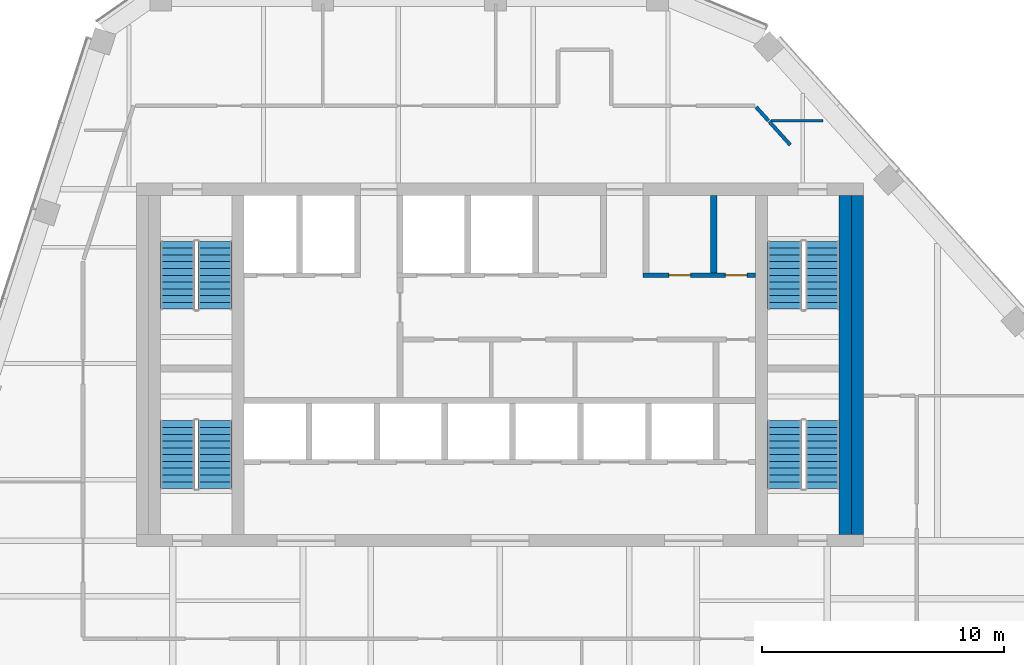
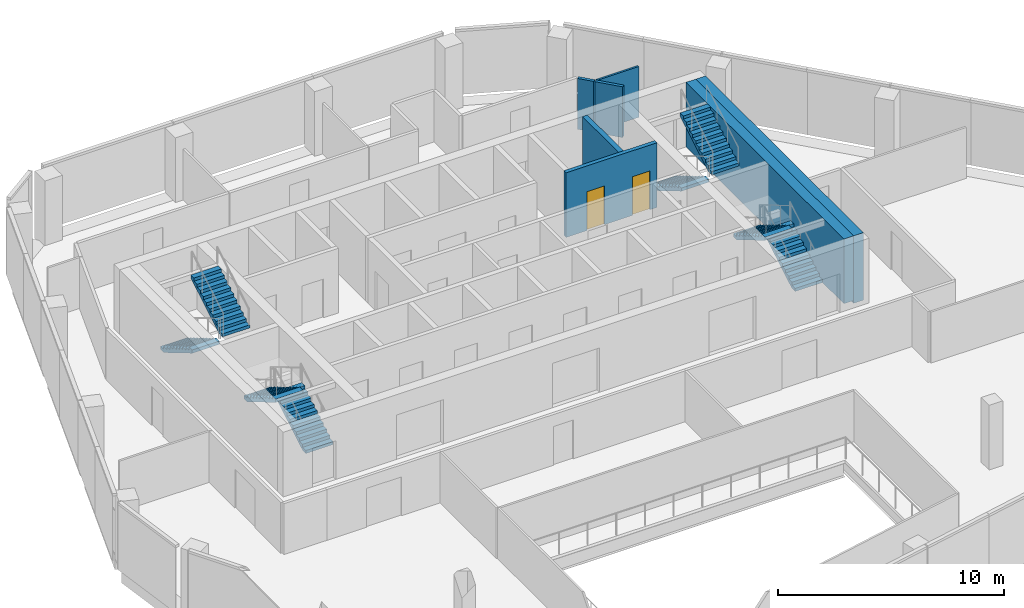
# One storey, part 10 of 15: 8 stair flights, 7 walls, 2 doors, 2 openings, 4 elements without a shape of their own.
"""IFC4 building model written with IfcOpenShell, lengths in metres."""

from ifc_helpers import new_model, si_unit, direction, frame, frame_2d, origin, place, context, subcontext, project, spatial, polyline, rectangle, outline, extrude, material, layer, layer_set, type_object, element, fill, aggregate, save


model = new_model("IFC4")

# Units and contexts
model_context = context("Model", 3, precision=1e-05, world=origin(), true_north=direction((0.0, 1.0)))
body_context = subcontext(model_context, "Body", "Model", "MODEL_VIEW")
ifc_project = project(units=[si_unit("LENGTHUNIT", "METRE"), si_unit("AREAUNIT", "SQUARE_METRE"), si_unit("VOLUMEUNIT", "CUBIC_METRE"), si_unit("PLANEANGLEUNIT", "RADIAN"), si_unit("MASSUNIT", "GRAM", prefix="KILO")], contexts=[model_context])

# Site, building, storey
site_placement = place(None, origin())
site = spatial("IfcSite", under=ifc_project, at=site_placement, CompositionType="ELEMENT")
building_placement = place(site_placement, origin())
building = spatial("IfcBuilding", under=site, at=building_placement, Name="Isthmus Gate Tower", CompositionType="ELEMENT")
storey_placement = place(building_placement, frame((0.0, 0.0, 275.550048828125)))
storey = spatial("IfcBuildingStorey", under=building, at=storey_placement, Name="L70", CompositionType="ELEMENT", Elevation=275.550048828125)

# Walls
ifc_material_1 = material(Name="Gypsum board on steel studs, fire-rated", Category="steel")
ifc_layer_1 = layer(ifc_material_1, 0.14990234375)
ifc_layer_set_1 = layer_set([ifc_layer_1], Name="CORRIDOR WALL 150 60 MIN")
wall_type_1 = type_object("IfcWallType", Name="CORRIDOR WALL 150 60 MIN", PredefinedType="PARTITIONING", material=ifc_layer_set_1)
wall_1_placement = place(storey_placement, frame((10.572265625, 18.144287109375, 0.0), z_axis=(0.0, 0.0, 1.0), x_axis=(0.668982500835, -0.743278153572, 0.0)))
element("IfcWall", 1, at=wall_1_placement, inside=storey, type_object=wall_type_1, Name="L70 Corridor Wall 150 60 Min", PredefinedType="PARTITIONING", context=body_context, shape_type="SweptSolid", body=[
    extrude(rectangle(XDim=0.759033203125, YDim=0.14990234375, at=frame_2d((0.37939453125, 0.0))), origin(), (0.0, 0.0, 1.0), 2.750732421875),
])
wall_2_placement = place(storey_placement, frame((11.113525390625, 17.542724609375, 0.0), z_axis=(0.0, 0.0, 1.0), x_axis=(0.66906841405, -0.743200818972, 0.0)))
element("IfcWall", 2, at=wall_2_placement, inside=storey, type_object=wall_type_1, Name="L70 Corridor Wall 150 60 Min", PredefinedType="PARTITIONING", context=body_context, shape_type="SweptSolid", body=[
    extrude(rectangle(XDim=1.30078125, YDim=0.14990234375, at=frame_2d((0.650390625, 0.0))), origin(), (0.0, 0.0, 1.0), 2.750732421875),
])
ifc_material_2 = material(Name="Concrete f'c 50 MPa", Category="concrete")
ifc_layer_2 = layer(ifc_material_2, 0.5)
ifc_layer_set_2 = layer_set([ifc_layer_2], Name="RC CORE WALL 500 F'C 50")
wall_type_2 = type_object("IfcWallType", Name="RC CORE WALL 500 F'C 50", PredefinedType="SOLIDWALL", material=ifc_layer_set_2)
wall_3_placement = place(storey_placement, frame((14.75, 0.5, -0.150146484375), z_axis=(0.0, 0.0, 1.0), x_axis=(0.0, 1.0, 0.0)))
element("IfcWall", 3, at=wall_3_placement, inside=storey, type_object=wall_type_2, Name="str-corewall-L70-E", PredefinedType="SOLIDWALL", context=body_context, shape_type="SweptSolid", body=[
    extrude(rectangle(XDim=14.0, YDim=0.5, at=frame_2d((7.0, 0.0))), origin(), (0.0, 0.0, 1.0), 3.650146484375),
])
ifc_material_3 = material(Name="Gypsum board on steel studs, fire-rated", Category="steel")
ifc_layer_3 = layer(ifc_material_3, 0.10009765625)
ifc_layer_set_3 = layer_set([ifc_layer_3], Name="ROOM PARTITION 100 30 MIN")
wall_type_3 = type_object("IfcWallType", Name="ROOM PARTITION 100 30 MIN", PredefinedType="PARTITIONING", material=ifc_layer_set_3)
wall_4_placement = place(storey_placement, frame((11.180908203125, 17.580078125, 0.0), z_axis=(0.0, 0.0, 1.0), x_axis=(1.0, 0.0, 0.0)))
element("IfcWall", 4, at=wall_4_placement, inside=storey, type_object=wall_type_3, Name="L70 Room Partition 100 30 Min", PredefinedType="PARTITIONING", context=body_context, shape_type="SweptSolid", body=[
    extrude(rectangle(XDim=2.156005859375, YDim=0.10009765625, at=frame_2d((1.078125, 0.0))), origin(), (0.0, 0.0, 1.0), 2.750732421875),
])

# Wall, openings, doors
ifc_material_4 = material(Name="Fire-rated blockwork masonry, 15 MPa", Category="masonry")
ifc_layer_4 = layer(ifc_material_4, 0.199951171875)
ifc_layer_set_4 = layer_set([ifc_layer_4], Name="SHAFT FRONT WALL 200 120 MIN")
wall_type_4 = type_object("IfcWallType", Name="SHAFT FRONT WALL 200 120 MIN", PredefinedType="PARTITIONING", material=ifc_layer_set_4)
wall_5_placement = place(storey_placement, frame((5.89990234375, 11.199951171875, 0.0), z_axis=(0.0, 0.0, 1.0), x_axis=(1.0, 0.0, 0.0)))
wall_5 = element("IfcWall", 5, at=wall_5_placement, inside=storey, type_object=wall_type_4, Name="L70 SHAFT FRONT WALL 200 120 MIN", PredefinedType="PARTITIONING", context=body_context, shape_type="SweptSolid", body=[
    extrude(rectangle(XDim=4.650146484375, YDim=0.199951171875, at=frame_2d((2.3251953125, 0.0))), origin(), (0.0, 0.0, 1.0), 3.5),
])
opening_1_placement = place(wall_5_placement, frame((1.074951171875, 0.0, 0.0)))
opening_1 = element("IfcOpeningElement", 6, at=opening_1_placement, cuts=wall_5, Name="Opening DC-A20-08", PredefinedType="OPENING", context=body_context, shape_type="SweptSolid", body=[
    extrude(rectangle(XDim=0.89990234375, YDim=2.10009765625, at=frame_2d((0.449951171875, 1.050048828125))), frame((0.0, 0.10986328125, 0.0), z_axis=(0.0, -1.0, 0.0), x_axis=(1.0, 0.0, 0.0)), (0.0, 0.0, 1.0), 0.219970703125),
])
opening_2_placement = place(wall_5_placement, frame((3.39990234375, 0.0, 0.0)))
opening_2 = element("IfcOpeningElement", 7, at=opening_2_placement, cuts=wall_5, Name="Opening DC-A20-09", PredefinedType="OPENING", context=body_context, shape_type="SweptSolid", body=[
    extrude(rectangle(XDim=0.89990234375, YDim=2.10009765625, at=frame_2d((0.449951171875, 1.050048828125))), frame((0.0, 0.10986328125, 0.0), z_axis=(0.0, -1.0, 0.0), x_axis=(1.0, 0.0, 0.0)), (0.0, 0.0, 1.0), 0.219970703125),
])
ifc_material_5 = material(Name="Steel door leaf, fire-rated", Category="steel")
door_type_1 = type_object("IfcDoorType", Name="FIRE DOOR 900 X 2100 60 MIN", OperationType="SINGLE_SWING_LEFT", PredefinedType="DOOR", material=ifc_material_5)
door_1_placement = place(opening_1_placement, origin())
door_1 = element("IfcDoor", 8, at=door_1_placement, inside=storey, type_object=door_type_1, Name="IT Room Door", OperationType="SINGLE_SWING_RIGHT", OverallHeight=2.10009765625, OverallWidth=0.89990234375, PredefinedType="DOOR", context=body_context, shape_type="SweptSolid", body=[
    extrude(rectangle(XDim=0.89990234375, YDim=2.10009765625, at=frame_2d((0.449951171875, 1.050048828125))), frame((0.0, 0.02490234375, 0.0), z_axis=(0.0, -1.0, 0.0), x_axis=(1.0, 0.0, 0.0)), (0.0, 0.0, 1.0), 0.050048828125),
])
fill(opening_1, door_1)
ifc_material_6 = material(Name="Steel door leaf, fire-rated", Category="steel")
door_type_2 = type_object("IfcDoorType", Name="RISER FIRE DOOR 900 X 2100 90 MIN", OperationType="SINGLE_SWING_LEFT", PredefinedType="DOOR", material=ifc_material_6)
door_2_placement = place(opening_2_placement, origin())
door_2 = element("IfcDoor", 9, at=door_2_placement, inside=storey, type_object=door_type_2, Name="Riser Door", OperationType="SINGLE_SWING_LEFT", OverallHeight=2.10009765625, OverallWidth=0.89990234375, PredefinedType="DOOR", context=body_context, shape_type="SweptSolid", body=[
    extrude(rectangle(XDim=0.89990234375, YDim=2.10009765625, at=frame_2d((0.449951171875, 1.050048828125))), frame((0.0, 0.02490234375, 0.0), z_axis=(0.0, -1.0, 0.0), x_axis=(1.0, 0.0, 0.0)), (0.0, 0.0, 1.0), 0.050048828125),
])
fill(opening_2, door_2)

# Walls
ifc_material_7 = material(Name="Fire-rated blockwork masonry, 15 MPa", Category="masonry")
ifc_layer_5 = layer(ifc_material_7, 0.25)
ifc_layer_set_5 = layer_set([ifc_layer_5], Name="SHAFT WALL 250 120 MIN")
wall_type_5 = type_object("IfcWallType", Name="SHAFT WALL 250 120 MIN", PredefinedType="PARTITIONING", material=ifc_layer_set_5)
wall_6_placement = place(storey_placement, frame((8.824951171875, 11.300048828125, 0.0), z_axis=(0.0, 0.0, 1.0), x_axis=(0.0, 1.0, 0.0)))
element("IfcWall", 10, at=wall_6_placement, inside=storey, type_object=wall_type_5, Name="L70 SHAFT WALL 250 120 MIN", PredefinedType="PARTITIONING", context=body_context, shape_type="SweptSolid", body=[
    extrude(rectangle(XDim=3.199951171875, YDim=0.25, at=frame_2d((1.60009765625, 0.0))), origin(), (0.0, 0.0, 1.0), 3.5),
])
ifc_material_8 = material(Name="Concrete f'c 40 MPa", Category="concrete")
ifc_layer_6 = layer(ifc_material_8, 0.5)
ifc_layer_set_6 = layer_set([ifc_layer_6], Name="STAIR ENCLOSURE WALL 500 180 MIN")
wall_type_6 = type_object("IfcWallType", Name="STAIR ENCLOSURE WALL 500 180 MIN", PredefinedType="SOLIDWALL", material=ifc_layer_set_6)
wall_7_placement = place(storey_placement, frame((14.25, 0.5, 0.0), z_axis=(0.0, 0.0, 1.0), x_axis=(0.0, 1.0, 0.0)))
element("IfcWall", 11, at=wall_7_placement, inside=storey, type_object=wall_type_6, Name="L70 STAIR ENCLOSURE WALL 500 180 MIN", PredefinedType="SOLIDWALL", context=body_context, shape_type="SweptSolid", body=[
    extrude(rectangle(XDim=14.0, YDim=0.5, at=frame_2d((7.0, 0.0))), origin(), (0.0, 0.0, 1.0), 3.5),
])

# Stair, stair flights
ifc_material_9 = material(Name="Concrete f'c 40 MPa", Category="concrete")
stair_type = type_object("IfcStairType", Name="CORE STAIR 22 RISERS", PredefinedType="HALF_TURN_STAIR", material=ifc_material_9)
stair_1_placement = place(storey_placement, origin())
stair_1 = element("IfcStair", 12, at=stair_1_placement, inside=storey, type_object=stair_type, Name="L70 Exit Stair 1", PredefinedType="HALF_TURN_STAIR")
ifc_material_10 = material(Name="Concrete f'c 40 MPa", Category="concrete")
stair_flight_type = type_object("IfcStairFlightType", Name="STAIR FLIGHT RC 1400", PredefinedType="STRAIGHT", material=ifc_material_10)
stair_flight_1_placement = place(storey_placement, frame((-13.300048828125, 12.60009765625, 0.0), z_axis=(0.0, 0.0, 1.0), x_axis=(0.0, -1.0, 0.0)))
stair_flight_1 = element("IfcStairFlight", 13, at=stair_flight_1_placement, type_object=stair_flight_type, Name="ST1 flight 1", NumberOfRisers=11, NumberOfTreads=10, PredefinedType="STRAIGHT", RiserHeight=0.165909091, TreadLength=0.28, context=body_context, shape_type="SweptSolid", body=[
    extrude(outline(polyline([(0.0, 0.0), (0.0, 0.166015625), (0.280029296875, 0.166015625), (0.280029296875, 0.331787109375), (0.56005859375, 0.331787109375), (0.56005859375, 0.497802734375), (0.840087890625, 0.497802734375), (0.840087890625, 0.66357421875), (1.1201171875, 0.66357421875), (1.1201171875, 0.82958984375), (1.39990234375, 0.82958984375), (1.39990234375, 0.995361328125), (1.679931640625, 0.995361328125), (1.679931640625, 1.161376953125), (1.9599609375, 1.161376953125), (1.9599609375, 1.327392578125), (2.239990234375, 1.327392578125), (2.239990234375, 1.4931640625), (2.52001953125, 1.4931640625), (2.52001953125, 1.6591796875), (2.800048828125, 1.6591796875), (2.800048828125, 1.824951171875), (2.800048828125, 1.48486328125), (0.2939453125, 0.0), (0.0, 0.0)])), frame((0.0, 0.699951171875, 0.0), z_axis=(0.0, -1.0, 0.0), x_axis=(1.0, 0.0, 0.0)), (0.0, 0.0, 1.0), 1.39990234375),
])
stair_flight_2_placement = place(storey_placement, frame((-11.75, 9.800048828125, 1.824951171875), z_axis=(0.0, 0.0, 1.0), x_axis=(0.0, 1.0, 0.0)))
stair_flight_2 = element("IfcStairFlight", 14, at=stair_flight_2_placement, type_object=stair_flight_type, Name="ST1 flight 2", NumberOfRisers=11, NumberOfTreads=10, PredefinedType="STRAIGHT", RiserHeight=0.165909091, TreadLength=0.28, context=body_context, shape_type="SweptSolid", body=[
    extrude(outline(polyline([(0.0, 0.0), (0.0, 0.166015625), (0.280029296875, 0.166015625), (0.280029296875, 0.331787109375), (0.56005859375, 0.331787109375), (0.56005859375, 0.497802734375), (0.840087890625, 0.497802734375), (0.840087890625, 0.66357421875), (1.1201171875, 0.66357421875), (1.1201171875, 0.82958984375), (1.39990234375, 0.82958984375), (1.39990234375, 0.995361328125), (1.679931640625, 0.995361328125), (1.679931640625, 1.161376953125), (1.9599609375, 1.161376953125), (1.9599609375, 1.327392578125), (2.239990234375, 1.327392578125), (2.239990234375, 1.4931640625), (2.52001953125, 1.4931640625), (2.52001953125, 1.6591796875), (2.800048828125, 1.6591796875), (2.800048828125, 1.824951171875), (2.800048828125, 1.48486328125), (0.2939453125, 0.0), (0.0, 0.0)])), frame((0.0, 0.699951171875, 0.0), z_axis=(0.0, -1.0, 0.0), x_axis=(1.0, 0.0, 0.0)), (0.0, 0.0, 1.0), 1.39990234375),
])
aggregate(stair_1, [stair_flight_1, stair_flight_2])

stair_2_placement = place(storey_placement, origin())
stair_2 = element("IfcStair", 15, at=stair_2_placement, inside=storey, type_object=stair_type, Name="L70 Exit Stair 2", PredefinedType="HALF_TURN_STAIR")
stair_flight_3_placement = place(storey_placement, frame((11.75, 12.60009765625, 0.0), z_axis=(0.0, 0.0, 1.0), x_axis=(0.0, -1.0, 0.0)))
stair_flight_3 = element("IfcStairFlight", 16, at=stair_flight_3_placement, type_object=stair_flight_type, Name="ST2 flight 1", NumberOfRisers=11, NumberOfTreads=10, PredefinedType="STRAIGHT", RiserHeight=0.165909091, TreadLength=0.28, context=body_context, shape_type="SweptSolid", body=[
    extrude(outline(polyline([(0.0, 0.0), (0.0, 0.166015625), (0.280029296875, 0.166015625), (0.280029296875, 0.331787109375), (0.56005859375, 0.331787109375), (0.56005859375, 0.497802734375), (0.840087890625, 0.497802734375), (0.840087890625, 0.66357421875), (1.1201171875, 0.66357421875), (1.1201171875, 0.82958984375), (1.39990234375, 0.82958984375), (1.39990234375, 0.995361328125), (1.679931640625, 0.995361328125), (1.679931640625, 1.161376953125), (1.9599609375, 1.161376953125), (1.9599609375, 1.327392578125), (2.239990234375, 1.327392578125), (2.239990234375, 1.4931640625), (2.52001953125, 1.4931640625), (2.52001953125, 1.6591796875), (2.800048828125, 1.6591796875), (2.800048828125, 1.824951171875), (2.800048828125, 1.48486328125), (0.2939453125, 0.0), (0.0, 0.0)])), frame((0.0, 0.699951171875, 0.0), z_axis=(0.0, -1.0, 0.0), x_axis=(1.0, 0.0, 0.0)), (0.0, 0.0, 1.0), 1.39990234375),
])
stair_flight_4_placement = place(storey_placement, frame((13.300048828125, 9.800048828125, 1.824951171875), z_axis=(0.0, 0.0, 1.0), x_axis=(0.0, 1.0, 0.0)))
stair_flight_4 = element("IfcStairFlight", 17, at=stair_flight_4_placement, type_object=stair_flight_type, Name="ST2 flight 2", NumberOfRisers=11, NumberOfTreads=10, PredefinedType="STRAIGHT", RiserHeight=0.165909091, TreadLength=0.28, context=body_context, shape_type="SweptSolid", body=[
    extrude(outline(polyline([(0.0, 0.0), (0.0, 0.166015625), (0.280029296875, 0.166015625), (0.280029296875, 0.331787109375), (0.56005859375, 0.331787109375), (0.56005859375, 0.497802734375), (0.840087890625, 0.497802734375), (0.840087890625, 0.66357421875), (1.1201171875, 0.66357421875), (1.1201171875, 0.82958984375), (1.39990234375, 0.82958984375), (1.39990234375, 0.995361328125), (1.679931640625, 0.995361328125), (1.679931640625, 1.161376953125), (1.9599609375, 1.161376953125), (1.9599609375, 1.327392578125), (2.239990234375, 1.327392578125), (2.239990234375, 1.4931640625), (2.52001953125, 1.4931640625), (2.52001953125, 1.6591796875), (2.800048828125, 1.6591796875), (2.800048828125, 1.824951171875), (2.800048828125, 1.48486328125), (0.2939453125, 0.0), (0.0, 0.0)])), frame((0.0, 0.699951171875, 0.0), z_axis=(0.0, -1.0, 0.0), x_axis=(1.0, 0.0, 0.0)), (0.0, 0.0, 1.0), 1.39990234375),
])
aggregate(stair_2, [stair_flight_3, stair_flight_4])

stair_3_placement = place(storey_placement, origin())
stair_3 = element("IfcStair", 18, at=stair_3_placement, inside=storey, type_object=stair_type, Name="L70 Exit Stair 7", PredefinedType="HALF_TURN_STAIR")
stair_flight_5_placement = place(storey_placement, frame((-11.75, 2.39990234375, 0.0), z_axis=(0.0, 0.0, 1.0), x_axis=(0.0, 1.0, 0.0)))
stair_flight_5 = element("IfcStairFlight", 19, at=stair_flight_5_placement, type_object=stair_flight_type, Name="ST7 flight 1", NumberOfRisers=11, NumberOfTreads=10, PredefinedType="STRAIGHT", RiserHeight=0.165909091, TreadLength=0.28, context=body_context, shape_type="SweptSolid", body=[
    extrude(outline(polyline([(0.0, 0.0), (0.0, 0.166015625), (0.280029296875, 0.166015625), (0.280029296875, 0.331787109375), (0.56005859375, 0.331787109375), (0.56005859375, 0.497802734375), (0.840087890625, 0.497802734375), (0.840087890625, 0.66357421875), (1.1201171875, 0.66357421875), (1.1201171875, 0.82958984375), (1.39990234375, 0.82958984375), (1.39990234375, 0.995361328125), (1.679931640625, 0.995361328125), (1.679931640625, 1.161376953125), (1.9599609375, 1.161376953125), (1.9599609375, 1.327392578125), (2.239990234375, 1.327392578125), (2.239990234375, 1.4931640625), (2.52001953125, 1.4931640625), (2.52001953125, 1.6591796875), (2.800048828125, 1.6591796875), (2.800048828125, 1.824951171875), (2.800048828125, 1.48486328125), (0.2939453125, 0.0), (0.0, 0.0)])), frame((0.0, 0.699951171875, 0.0), z_axis=(0.0, -1.0, 0.0), x_axis=(1.0, 0.0, 0.0)), (0.0, 0.0, 1.0), 1.39990234375),
])
stair_flight_6_placement = place(storey_placement, frame((-13.300048828125, 5.199951171875, 1.824951171875), z_axis=(0.0, 0.0, 1.0), x_axis=(0.0, -1.0, 0.0)))
stair_flight_6 = element("IfcStairFlight", 20, at=stair_flight_6_placement, type_object=stair_flight_type, Name="ST7 flight 2", NumberOfRisers=11, NumberOfTreads=10, PredefinedType="STRAIGHT", RiserHeight=0.165909091, TreadLength=0.28, context=body_context, shape_type="SweptSolid", body=[
    extrude(outline(polyline([(0.0, 0.0), (0.0, 0.166015625), (0.280029296875, 0.166015625), (0.280029296875, 0.331787109375), (0.56005859375, 0.331787109375), (0.56005859375, 0.497802734375), (0.840087890625, 0.497802734375), (0.840087890625, 0.66357421875), (1.1201171875, 0.66357421875), (1.1201171875, 0.82958984375), (1.39990234375, 0.82958984375), (1.39990234375, 0.995361328125), (1.679931640625, 0.995361328125), (1.679931640625, 1.161376953125), (1.9599609375, 1.161376953125), (1.9599609375, 1.327392578125), (2.239990234375, 1.327392578125), (2.239990234375, 1.4931640625), (2.52001953125, 1.4931640625), (2.52001953125, 1.6591796875), (2.800048828125, 1.6591796875), (2.800048828125, 1.824951171875), (2.800048828125, 1.48486328125), (0.2939453125, 0.0), (0.0, 0.0)])), frame((0.0, 0.699951171875, 0.0), z_axis=(0.0, -1.0, 0.0), x_axis=(1.0, 0.0, 0.0)), (0.0, 0.0, 1.0), 1.39990234375),
])
aggregate(stair_3, [stair_flight_5, stair_flight_6])

stair_4_placement = place(storey_placement, origin())
stair_4 = element("IfcStair", 21, at=stair_4_placement, inside=storey, type_object=stair_type, Name="L70 Exit Stair 8", PredefinedType="HALF_TURN_STAIR")
stair_flight_7_placement = place(storey_placement, frame((13.300048828125, 2.39990234375, 0.0), z_axis=(0.0, 0.0, 1.0), x_axis=(0.0, 1.0, 0.0)))
stair_flight_7 = element("IfcStairFlight", 22, at=stair_flight_7_placement, type_object=stair_flight_type, Name="ST8 flight 1", NumberOfRisers=11, NumberOfTreads=10, PredefinedType="STRAIGHT", RiserHeight=0.165909091, TreadLength=0.28, context=body_context, shape_type="SweptSolid", body=[
    extrude(outline(polyline([(0.0, 0.0), (0.0, 0.166015625), (0.280029296875, 0.166015625), (0.280029296875, 0.331787109375), (0.56005859375, 0.331787109375), (0.56005859375, 0.497802734375), (0.840087890625, 0.497802734375), (0.840087890625, 0.66357421875), (1.1201171875, 0.66357421875), (1.1201171875, 0.82958984375), (1.39990234375, 0.82958984375), (1.39990234375, 0.995361328125), (1.679931640625, 0.995361328125), (1.679931640625, 1.161376953125), (1.9599609375, 1.161376953125), (1.9599609375, 1.327392578125), (2.239990234375, 1.327392578125), (2.239990234375, 1.4931640625), (2.52001953125, 1.4931640625), (2.52001953125, 1.6591796875), (2.800048828125, 1.6591796875), (2.800048828125, 1.824951171875), (2.800048828125, 1.48486328125), (0.2939453125, 0.0), (0.0, 0.0)])), frame((0.0, 0.699951171875, 0.0), z_axis=(0.0, -1.0, 0.0), x_axis=(1.0, 0.0, 0.0)), (0.0, 0.0, 1.0), 1.39990234375),
])
stair_flight_8_placement = place(storey_placement, frame((11.75, 5.199951171875, 1.824951171875), z_axis=(0.0, 0.0, 1.0), x_axis=(0.0, -1.0, 0.0)))
stair_flight_8 = element("IfcStairFlight", 23, at=stair_flight_8_placement, type_object=stair_flight_type, Name="ST8 flight 2", NumberOfRisers=11, NumberOfTreads=10, PredefinedType="STRAIGHT", RiserHeight=0.165909091, TreadLength=0.28, context=body_context, shape_type="SweptSolid", body=[
    extrude(outline(polyline([(0.0, 0.0), (0.0, 0.166015625), (0.280029296875, 0.166015625), (0.280029296875, 0.331787109375), (0.56005859375, 0.331787109375), (0.56005859375, 0.497802734375), (0.840087890625, 0.497802734375), (0.840087890625, 0.66357421875), (1.1201171875, 0.66357421875), (1.1201171875, 0.82958984375), (1.39990234375, 0.82958984375), (1.39990234375, 0.995361328125), (1.679931640625, 0.995361328125), (1.679931640625, 1.161376953125), (1.9599609375, 1.161376953125), (1.9599609375, 1.327392578125), (2.239990234375, 1.327392578125), (2.239990234375, 1.4931640625), (2.52001953125, 1.4931640625), (2.52001953125, 1.6591796875), (2.800048828125, 1.6591796875), (2.800048828125, 1.824951171875), (2.800048828125, 1.48486328125), (0.2939453125, 0.0), (0.0, 0.0)])), frame((0.0, 0.699951171875, 0.0), z_axis=(0.0, -1.0, 0.0), x_axis=(1.0, 0.0, 0.0)), (0.0, 0.0, 1.0), 1.39990234375),
])
aggregate(stair_4, [stair_flight_7, stair_flight_8])

save(model, "model.ifc")
